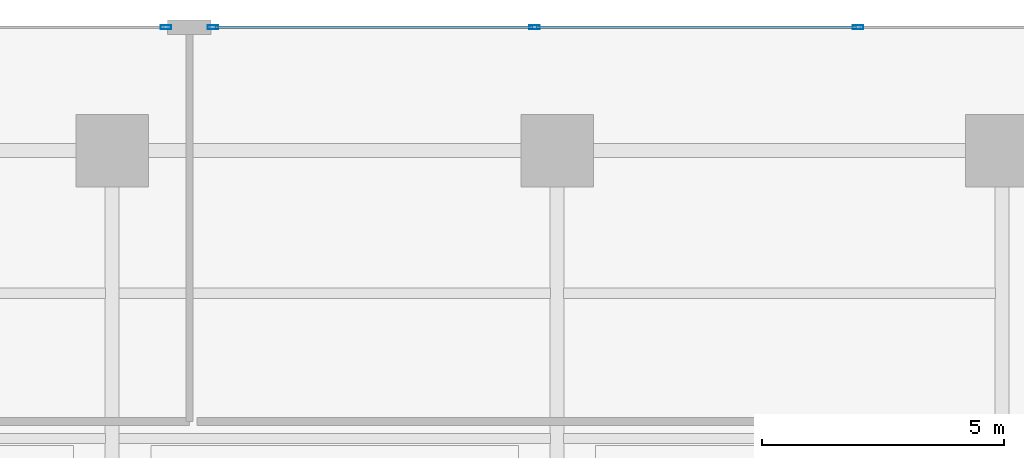
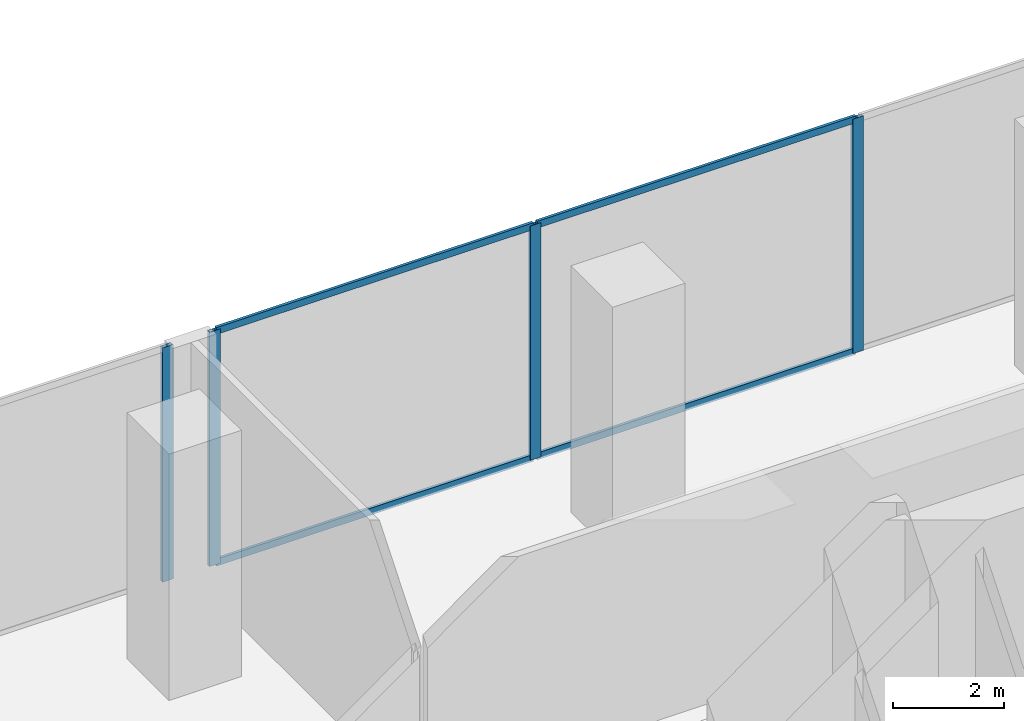
# One storey, part 17 of 30: 8 members, 2 elements without a shape of their own.
"""IFC4 building model written with IfcOpenShell, lengths in metres."""

import ifcopenshell
import ifcopenshell.guid

model = None  # the IFC model being written
_history = None  # IfcOwnerHistory: only IFC2X3 demands one
_inside = {}  # id of a spatial element -> (the spatial element, [elements in it])
_under = {}  # id of a project, library or spatial element -> (it, [spatial elements below it])
_declared = {}  # id of a project -> (the project, [libraries it declares])
_typed = {}  # id of a type object -> (the type object, [elements of that type])
_made_of = {}  # id of a material, layer set ... -> (it, [elements and type objects made of it])


def new_model(schema):
    """Start an empty IFC model of exactly this schema.

    Asked for "IFC4X3", IfcOpenShell would pick the latest addendum, in which some entities
    have other attributes; the version numbers below select the first issue.
    IFC2X3 requires an IfcOwnerHistory on every rooted entity: one is made here for all.
    """
    global model, _history
    if schema == "IFC4X3":
        model = ifcopenshell.file(schema_version=(4, 3, 0, 0))
    else:
        model = ifcopenshell.file(schema=schema)
    _inside.clear()
    _under.clear()
    _declared.clear()
    _typed.clear()
    _made_of.clear()
    _history = None
    if model.schema == "IFC2X3":
        org = make("IfcOrganization", Name="unknown")
        user = make(
            "IfcPersonAndOrganization",
            ThePerson=make("IfcPerson", FamilyName="unknown"),
            TheOrganization=org,
        )
        app = make(
            "IfcApplication",
            ApplicationDeveloper=org,
            Version="unknown",
            ApplicationFullName="unknown",
            ApplicationIdentifier="unknown",
        )
        _history = make(
            "IfcOwnerHistory",
            OwningUser=user,
            OwningApplication=app,
            ChangeAction="ADDED",
            CreationDate=0,
        )
    return model


def make(cls, **values):
    """One entity of the class cls with the attributes given. An attribute that is None is left unset."""
    return model.create_entity(
        cls, **{name: value for name, value in values.items() if value is not None}
    )


def rooted(cls, **values):
    """An entity with a GlobalId (a new one), such as an element, a storey or a relation."""
    return make(cls, GlobalId=ifcopenshell.guid.new(), OwnerHistory=_history, **values)


def si_unit(unit_type, name, prefix=None):
    """IfcSIUnit, for example si_unit("LENGTHUNIT", "METRE", prefix="MILLI")."""
    return make("IfcSIUnit", UnitType=unit_type, Prefix=prefix, Name=name)


def assignment(units):
    """IfcUnitAssignment: the units of a project."""
    return None if units is None else make("IfcUnitAssignment", Units=units)


def point(xyz):
    """IfcCartesianPoint."""
    return None if xyz is None else make("IfcCartesianPoint", Coordinates=xyz)


def direction(xyz):
    """IfcDirection."""
    return None if xyz is None else make("IfcDirection", DirectionRatios=xyz)


def frame(location, z_axis=None, x_axis=None):
    """IfcAxis2Placement3D, a coordinate frame: its origin and axes. An axis left out is left unset."""
    return make(
        "IfcAxis2Placement3D",
        Location=point(location),
        Axis=direction(z_axis),
        RefDirection=direction(x_axis),
    )


def frame_2d(location, x_axis=None):
    """IfcAxis2Placement2D, a coordinate frame in the plane: its origin and x axis."""
    return make(
        "IfcAxis2Placement2D", Location=point(location), RefDirection=direction(x_axis)
    )


def origin():
    """The frame at (0, 0, 0) with its axes left unset."""
    return frame((0.0, 0.0, 0.0))


def origin_2d():
    """The frame at (0, 0) in the plane with its x axis left unset."""
    return frame_2d((0.0, 0.0))


def place(relative_to, where):
    """IfcLocalPlacement: puts the frame where relative to a parent placement (None: the world)."""
    return make(
        "IfcLocalPlacement", PlacementRelTo=relative_to, RelativePlacement=where
    )


def context(
    kind, dimensions, precision=None, world=None, true_north=None, identifier=None
):
    """IfcGeometricRepresentationContext, for example the 3D "Model" context."""
    return make(
        "IfcGeometricRepresentationContext",
        ContextIdentifier=identifier,
        ContextType=kind,
        CoordinateSpaceDimension=dimensions,
        Precision=precision,
        WorldCoordinateSystem=world,
        TrueNorth=true_north,
    )


def subcontext(parent, identifier, kind, view, scale=None):
    """IfcGeometricRepresentationSubContext, for example "Body" below "Model"."""
    return make(
        "IfcGeometricRepresentationSubContext",
        ContextIdentifier=identifier,
        ContextType=kind,
        ParentContext=parent,
        TargetScale=scale,
        TargetView=view,
    )


def project(units=None, contexts=None):
    """IfcProject with its units and contexts."""
    return rooted(
        "IfcProject",
        Name="project",
        RepresentationContexts=contexts,
        UnitsInContext=assignment(units),
    )


def spatial(cls, under=None, at=None, **own):
    """A site, building, storey or space (cls), placed at a placement, below another one or the project."""
    s = rooted(cls, ObjectPlacement=at, **own)
    if under is not None:
        _under.setdefault(under.id(), (under, []))[1].append(s)
    return s


def profile(cls, at=None, kind="AREA", **sizes):
    """A parametric profile (cls). Its sizes go by their IFC names, for example OverallWidth=200.0."""
    return make(cls, ProfileType=kind, Position=at, **sizes)


def hollow_rectangle(**sizes):
    """IfcRectangleHollowProfileDef."""
    return profile("IfcRectangleHollowProfileDef", **sizes)


def extrude(swept, where, along, depth):
    """IfcExtrudedAreaSolid: the profile swept, set in the frame where, extruded along a direction by depth."""
    return make(
        "IfcExtrudedAreaSolid",
        SweptArea=swept,
        Position=where,
        ExtrudedDirection=direction(along),
        Depth=depth,
    )


def shape(context_of_items, identifier, shape_type, items):
    """IfcShapeRepresentation: the items that make up one representation, for example the "Body"."""
    return make(
        "IfcShapeRepresentation",
        ContextOfItems=context_of_items,
        RepresentationIdentifier=identifier,
        RepresentationType=shape_type,
        Items=items,
    )


def material(Name=None, Category=None):
    """IfcMaterial."""
    return make("IfcMaterial", Name=Name, Category=Category)


def layer(
    of_material, thickness, ventilated=None, Name=None, Category=None, Priority=None
):
    """IfcMaterialLayer: one layer of a wall or slab, of a material (None: an air gap)."""
    return make(
        "IfcMaterialLayer",
        Material=of_material,
        LayerThickness=thickness,
        IsVentilated=ventilated,
        Name=Name,
        Category=Category,
        Priority=Priority,
    )


def layer_set(layers, Name=None):
    """IfcMaterialLayerSet."""
    return make("IfcMaterialLayerSet", MaterialLayers=layers, LayerSetName=Name)


def material_profile(
    of_material, cross_section, Name=None, Category=None, Priority=None
):
    """IfcMaterialProfile: a cross section and its material."""
    return make(
        "IfcMaterialProfile",
        Name=Name,
        Material=of_material,
        Profile=cross_section,
        Priority=Priority,
        Category=Category,
    )


def profile_set(profiles, Name=None, composite=None):
    """IfcMaterialProfileSet."""
    return make(
        "IfcMaterialProfileSet",
        Name=Name,
        MaterialProfiles=profiles,
        CompositeProfile=composite,
    )


def made_of(thing, what):
    """Note that an element or type object is made of a material, layer set ...; save() writes the relation."""
    if what is not None:
        _made_of.setdefault(what.id(), (what, []))[1].append(thing)
    return thing


def type_object(cls, material=None, **own):
    """A type object (cls), such as IfcWallType, which elements share."""
    return made_of(rooted(cls, **own), material)


def element(
    cls,
    number,
    at=None,
    inside=None,
    cuts=None,
    type_object=None,
    material=None,
    context=None,
    identifier="Body",
    shape_type=None,
    held_by="IfcProductDefinitionShape",
    body=None,
    shapes=None,
    **own,
):
    """One element of the class cls, such as IfcWall. Its Tag is "e" and its number.

    at: its placement. inside: the storey or other place that contains it. cuts: it is an
    opening in that element (IfcRelVoidsElement). A single representation is given by context,
    identifier, shape_type and body (its items); several are given by shapes. held_by: the class
    of the entity that holds the representations. save() writes the other relations.
    """
    e = rooted(cls, Tag="e%d" % number, ObjectPlacement=at, **own)
    if body is not None:
        shapes = [shape(context, identifier, shape_type, body)]
    if shapes is not None:
        e.Representation = make(held_by, Representations=shapes)
    if inside is not None:
        _inside.setdefault(inside.id(), (inside, []))[1].append(e)
    if cuts is not None:
        rooted(
            "IfcRelVoidsElement", RelatingBuildingElement=cuts, RelatedOpeningElement=e
        )
    if type_object is not None:
        _typed.setdefault(type_object.id(), (type_object, []))[1].append(e)
    return made_of(e, material)


def aggregate(whole, parts):
    """IfcRelAggregates: a whole, such as a stair, and the parts it consists of."""
    return rooted("IfcRelAggregates", RelatingObject=whole, RelatedObjects=parts)


def save(model, path):
    """Write the relations noted so far, then the file.

    IfcRelAggregates (storeys below a building ...), IfcRelContainedInSpatialStructure (elements
    in a storey), IfcRelDefinesByType, IfcRelAssociatesMaterial and IfcRelDeclares: one each for
    every whole, place, type object, material and project.
    """
    for whole, parts in _under.values():
        aggregate(whole, parts)
    for where, things in _inside.values():
        rooted(
            "IfcRelContainedInSpatialStructure",
            RelatedElements=things,
            RelatingStructure=where,
        )
    for kind, things in _typed.values():
        rooted("IfcRelDefinesByType", RelatedObjects=things, RelatingType=kind)
    for what, things in _made_of.values():
        rooted("IfcRelAssociatesMaterial", RelatedObjects=things, RelatingMaterial=what)
    for by, libraries in _declared.values():
        rooted("IfcRelDeclares", RelatingContext=by, RelatedDefinitions=libraries)
    model.write(path)


model = new_model("IFC4")

# Units and contexts
model_context = context("Model", 3, precision=1e-05, world=origin(), true_north=direction((0.0, 1.0)))
body_context = subcontext(model_context, "Body", "Model", "MODEL_VIEW")
ifc_project = project(units=[si_unit("LENGTHUNIT", "METRE"), si_unit("AREAUNIT", "SQUARE_METRE"), si_unit("VOLUMEUNIT", "CUBIC_METRE"), si_unit("PLANEANGLEUNIT", "RADIAN"), si_unit("MASSUNIT", "GRAM", prefix="KILO")], contexts=[model_context])

# Site, building, storey
site_placement = place(None, origin())
site = spatial("IfcSite", under=ifc_project, at=site_placement, CompositionType="ELEMENT")
building_placement = place(site_placement, origin())
building = spatial("IfcBuilding", under=site, at=building_placement, Name="Zuhayl Quay Hotel", CompositionType="ELEMENT")
storey_placement = place(building_placement, frame((0.0, 0.0, 6.0)))
storey = spatial("IfcBuildingStorey", under=building, at=storey_placement, Name="L01", CompositionType="ELEMENT", Elevation=6.0)

# Curtain wall, member
ifc_material_1 = material(Name="Anodised Aluminium 6063-T6", Category="aluminium")
ifc_layer = layer(ifc_material_1, 0.199951171875, Name="Anodised Aluminium 6063-T6", Category="aluminium")
ifc_layer_set = layer_set([ifc_layer], Name="Anodised Aluminium 6063-T6")
curtain_wall_type = type_object("IfcCurtainWallType", Name="CW_SYS_POD", PredefinedType="USERDEFINED", material=ifc_layer_set)
curtain_wall_1_placement = place(storey_placement, origin())
curtain_wall_1 = element("IfcCurtainWall", 1, at=curtain_wall_1_placement, inside=storey, type_object=curtain_wall_type, Name="L01 Curtain Wall ENV_L01_E05_CW3", ObjectType="UNITISED CURTAIN WALL", PredefinedType="USERDEFINED")
ifc_material_2 = material(Name="Black-anodised aluminium 6063-T6", Category="aluminium")
ifc_material_profile_1 = material_profile(ifc_material_2, hollow_rectangle(XDim=0.074951171875, YDim=0.219970703125, WallThickness=0.00390625, at=origin_2d()), Name="ALU220X75")
ifc_profile_set_1 = profile_set([ifc_material_profile_1], Name="Black-anodised aluminium 6063-T6")
member_type_1 = type_object("IfcMemberType", Name="MB_CW_MUL_220", PredefinedType="MULLION", material=ifc_profile_set_1)
member_1_placement = place(storey_placement, frame((-3.487548828125, 25.0, 0.0), z_axis=(0.0, 0.0, 1.0), x_axis=(0.0, 1.0, 0.0)))
member_1 = element("IfcMember", 2, at=member_1_placement, type_object=member_type_1, Name="CW-POD mullion 3", PredefinedType="MULLION", context=body_context, shape_type="SweptSolid", body=[
    extrude(hollow_rectangle(XDim=0.074951171875, YDim=0.219970703125, WallThickness=0.00390625, at=origin_2d()), origin(), (0.0, 0.0, 1.0), 5.139892578125),
])
aggregate(curtain_wall_1, [member_1])

# Curtain wall, members
curtain_wall_2_placement = place(storey_placement, origin())
curtain_wall_2 = element("IfcCurtainWall", 3, at=curtain_wall_2_placement, inside=storey, type_object=curtain_wall_type, Name="L01 Curtain Wall ENV_L01_E05_CW4", ObjectType="UNITISED CURTAIN WALL", PredefinedType="USERDEFINED")
member_2_placement = place(storey_placement, frame((-2.512451171875, 25.0, 0.0), z_axis=(0.0, 0.0, 1.0), x_axis=(0.0, 1.0, 0.0)))
member_2 = element("IfcMember", 4, at=member_2_placement, type_object=member_type_1, Name="CW-POD mullion 1", PredefinedType="MULLION", context=body_context, shape_type="SweptSolid", body=[
    extrude(hollow_rectangle(XDim=0.074951171875, YDim=0.219970703125, WallThickness=0.00390625, at=origin_2d()), origin(), (0.0, 0.0, 1.0), 5.139892578125),
])
member_3_placement = place(storey_placement, frame((4.137451171875, 25.0, 0.0), z_axis=(0.0, 0.0, 1.0), x_axis=(0.0, 1.0, 0.0)))
member_3 = element("IfcMember", 5, at=member_3_placement, type_object=member_type_1, Name="CW-POD mullion 2", PredefinedType="MULLION", context=body_context, shape_type="SweptSolid", body=[
    extrude(hollow_rectangle(XDim=0.074951171875, YDim=0.219970703125, WallThickness=0.00390625, at=origin_2d()), origin(), (0.0, 0.0, 1.0), 5.139892578125),
])
member_4_placement = place(storey_placement, frame((10.824951171875, 25.0, 0.0), z_axis=(0.0, 0.0, 1.0), x_axis=(0.0, 1.0, 0.0)))
member_4 = element("IfcMember", 6, at=member_4_placement, type_object=member_type_1, Name="CW-POD mullion 3", PredefinedType="MULLION", context=body_context, shape_type="SweptSolid", body=[
    extrude(hollow_rectangle(XDim=0.074951171875, YDim=0.219970703125, WallThickness=0.00390625, at=origin_2d()), origin(), (0.0, 0.0, 1.0), 5.139892578125),
])
ifc_material_profile_2 = material_profile(ifc_material_2, hollow_rectangle(XDim=0.06005859375, YDim=0.14990234375, WallThickness=0.00341796875, at=origin_2d()), Name="ALU150X60")
ifc_profile_set_2 = profile_set([ifc_material_profile_2], Name="Black-anodised aluminium 6063-T6")
member_type_2 = type_object("IfcMemberType", Name="MB_CW_TRN_150", PredefinedType="USERDEFINED", material=ifc_profile_set_2)
member_5_placement = place(storey_placement, frame((-2.47509765625, 25.0, 0.030029296875), z_axis=(1.0, 0.0, 0.0), x_axis=(0.0, 1.0, 0.0)))
member_5 = element("IfcMember", 7, at=member_5_placement, type_object=member_type_2, Name="CW-POD transom 1.1", ObjectType="TRANSOM", PredefinedType="USERDEFINED", context=body_context, shape_type="SweptSolid", body=[
    extrude(hollow_rectangle(XDim=0.06005859375, YDim=0.14990234375, WallThickness=0.00341796875, at=origin_2d()), origin(), (0.0, 0.0, 1.0), 6.5751953125),
])
member_6_placement = place(storey_placement, frame((-2.47509765625, 25.0, 5.110107421875), z_axis=(1.0, 0.0, 0.0), x_axis=(0.0, 1.0, 0.0)))
member_6 = element("IfcMember", 8, at=member_6_placement, type_object=member_type_2, Name="CW-POD transom 1.2", ObjectType="TRANSOM", PredefinedType="USERDEFINED", context=body_context, shape_type="SweptSolid", body=[
    extrude(hollow_rectangle(XDim=0.06005859375, YDim=0.14990234375, WallThickness=0.00341796875, at=origin_2d()), origin(), (0.0, 0.0, 1.0), 6.5751953125),
])
member_7_placement = place(storey_placement, frame((4.175048828125, 25.0, 0.030029296875), z_axis=(1.0, 0.0, 0.0), x_axis=(0.0, 1.0, 0.0)))
member_7 = element("IfcMember", 9, at=member_7_placement, type_object=member_type_2, Name="CW-POD transom 2.1", ObjectType="TRANSOM", PredefinedType="USERDEFINED", context=body_context, shape_type="SweptSolid", body=[
    extrude(hollow_rectangle(XDim=0.06005859375, YDim=0.14990234375, WallThickness=0.00341796875, at=origin_2d()), origin(), (0.0, 0.0, 1.0), 6.612548828125),
])
member_8_placement = place(storey_placement, frame((4.175048828125, 25.0, 5.110107421875), z_axis=(1.0, 0.0, 0.0), x_axis=(0.0, 1.0, 0.0)))
member_8 = element("IfcMember", 10, at=member_8_placement, type_object=member_type_2, Name="CW-POD transom 2.2", ObjectType="TRANSOM", PredefinedType="USERDEFINED", context=body_context, shape_type="SweptSolid", body=[
    extrude(hollow_rectangle(XDim=0.06005859375, YDim=0.14990234375, WallThickness=0.00341796875, at=origin_2d()), origin(), (0.0, 0.0, 1.0), 6.612548828125),
])
aggregate(curtain_wall_2, [member_2, member_3, member_4, member_5, member_6, member_7, member_8])

save(model, "model.ifc")
